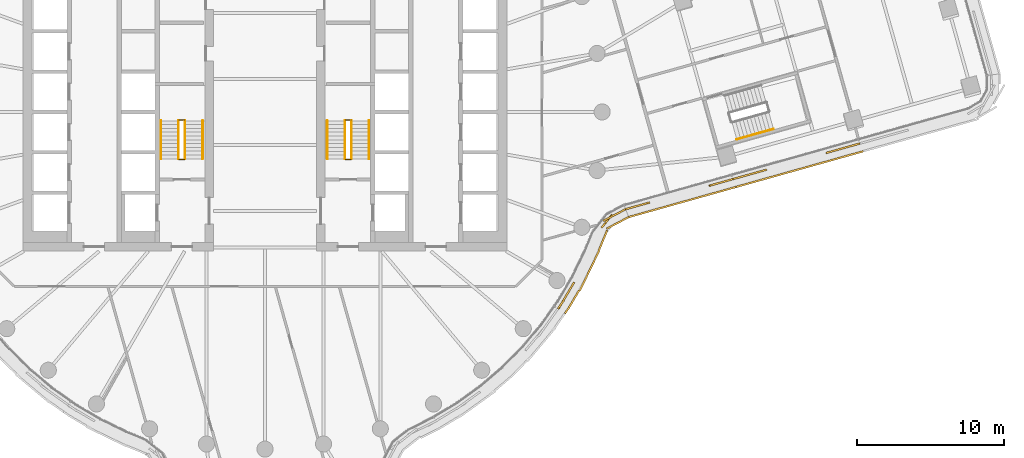
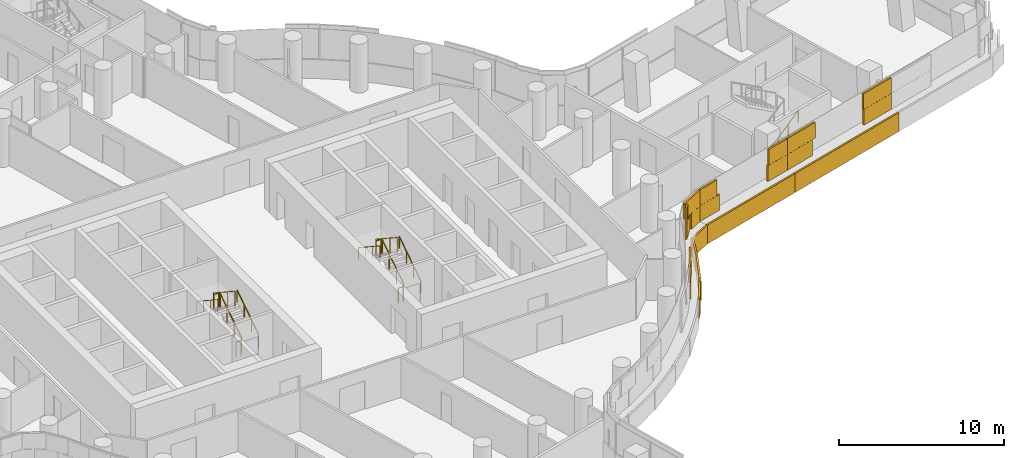
# One storey, part 27 of 30: 13 railings, 3 coverings.
"""IFC4 building model written with IfcOpenShell, lengths in metres."""

from ifc_helpers import new_model, si_unit, direction, frame, origin, origin_2d, place, context, subcontext, project, spatial, rectangle, circle, extrude, material, layer, layer_set, type_object, element, save


model = new_model("IFC4")

# Units and contexts
model_context = context("Model", 3, precision=1e-05, world=origin(), true_north=direction((0.0, 1.0)))
body_context = subcontext(model_context, "Body", "Model", "MODEL_VIEW")
ifc_project = project(units=[si_unit("LENGTHUNIT", "METRE"), si_unit("AREAUNIT", "SQUARE_METRE"), si_unit("VOLUMEUNIT", "CUBIC_METRE"), si_unit("PLANEANGLEUNIT", "RADIAN"), si_unit("MASSUNIT", "GRAM", prefix="KILO")], contexts=[model_context])

# Site, building, storey
site_placement = place(None, origin())
site = spatial("IfcSite", under=ifc_project, at=site_placement, CompositionType="ELEMENT")
building_placement = place(site_placement, origin())
building = spatial("IfcBuilding", under=site, at=building_placement, Name="Tamarind Cross Interchange Tower", CompositionType="ELEMENT")
storey_placement = place(building_placement, frame((0.0, 0.0, 91.0)))
storey = spatial("IfcBuildingStorey", under=building, at=storey_placement, Name="L21", CompositionType="ELEMENT", Elevation=91.0)

# Railings
ifc_material_1 = material(Name="Stair guard")
railing_type_1 = type_object("IfcRailingType", Name="Stair guard", PredefinedType="GUARDRAIL", material=ifc_material_1)
railing_1_placement = place(storey_placement, frame((-5.449951171875, -3.199951171875, 0.17041015625)))
element("IfcRailing", 1, at=railing_1_placement, inside=storey, type_object=railing_type_1, Name="L21 ST1 stair guard 1", PredefinedType="GUARDRAIL", context=body_context, shape_type="SweptSolid", body=[
    extrude(circle(Radius=0.02392578125, at=origin_2d()), frame((0.0, 0.0, 1.076171875), z_axis=(0.0, 0.836278606002, 0.548304744775), x_axis=(-1.0, 0.0, 0.0)), (0.0, 0.0, 1.0), 3.10888671875),
    extrude(circle(Radius=0.02099609375, at=origin_2d()), origin(), (0.0, 0.0, 1.0), 1.052001953125),
    extrude(circle(Radius=0.02099609375, at=origin_2d()), frame((0.0, 0.86669921875, 0.568115234375)), (0.0, 0.0, 1.0), 1.052001953125),
    extrude(circle(Radius=0.02099609375, at=origin_2d()), frame((0.0, 1.733154296875, 1.136474609375)), (0.0, 0.0, 1.0), 1.052001953125),
    extrude(circle(Radius=0.02099609375, at=origin_2d()), frame((0.0, 2.599853515625, 1.70458984375)), (0.0, 0.0, 1.0), 1.052001953125),
])
railing_2_placement = place(storey_placement, frame((-5.5, -0.550048828125, 1.875)))
element("IfcRailing", 2, at=railing_2_placement, inside=storey, type_object=railing_type_1, Name="L21 ST1 stair guard 2", PredefinedType="GUARDRAIL", context=body_context, shape_type="SweptSolid", body=[
    extrude(circle(Radius=0.02392578125, at=origin_2d()), frame((0.0, 0.0, 1.076171875), z_axis=(-1.0, 0.0, 0.0), x_axis=(0.0, -1.0, 0.0)), (0.0, 0.0, 1.0), 0.35009765625),
    extrude(circle(Radius=0.02099609375, at=origin_2d()), origin(), (0.0, 0.0, 1.0), 1.052001953125),
    extrude(circle(Radius=0.02099609375, at=origin_2d()), frame((-0.35009765625, 0.0, 0.0)), (0.0, 0.0, 1.0), 1.052001953125),
])
railing_3_placement = place(storey_placement, frame((-5.89990234375, -0.60009765625, 2.04541015625)))
element("IfcRailing", 3, at=railing_3_placement, inside=storey, type_object=railing_type_1, Name="L21 ST1 stair guard 3", PredefinedType="GUARDRAIL", context=body_context, shape_type="SweptSolid", body=[
    extrude(circle(Radius=0.02392578125, at=origin_2d()), frame((0.0, 0.0, 1.076171875), z_axis=(0.0, -0.836278606002, 0.548304744775), x_axis=(1.0, 0.0, 0.0)), (0.0, 0.0, 1.0), 3.10888671875),
    extrude(circle(Radius=0.02099609375, at=origin_2d()), origin(), (0.0, 0.0, 1.0), 1.052001953125),
    extrude(circle(Radius=0.02099609375, at=origin_2d()), frame((0.0, -0.86669921875, 0.568115234375)), (0.0, 0.0, 1.0), 1.052001953125),
    extrude(circle(Radius=0.02099609375, at=origin_2d()), frame((0.0, -1.733154296875, 1.136474609375)), (0.0, 0.0, 1.0), 1.052001953125),
    extrude(circle(Radius=0.02099609375, at=origin_2d()), frame((0.0, -2.599853515625, 1.70458984375)), (0.0, 0.0, 1.0), 1.052001953125),
])
railing_4_placement = place(storey_placement, frame((-5.5, -3.25, 0.0)))
element("IfcRailing", 4, at=railing_4_placement, inside=storey, type_object=railing_type_1, Name="L21 ST1 stair guard 4", PredefinedType="GUARDRAIL", context=body_context, shape_type="SweptSolid", body=[
    extrude(circle(Radius=0.02392578125, at=origin_2d()), frame((0.0, 0.0, 1.076171875), z_axis=(-1.0, 0.0, 0.0), x_axis=(0.0, -1.0, 0.0)), (0.0, 0.0, 1.0), 0.35009765625),
    extrude(circle(Radius=0.02099609375, at=origin_2d()), origin(), (0.0, 0.0, 1.0), 1.052001953125),
    extrude(circle(Radius=0.02099609375, at=origin_2d()), frame((-0.35009765625, 0.0, 0.0)), (0.0, 0.0, 1.0), 1.052001953125),
])
railing_5_placement = place(storey_placement, frame((5.89990234375, -3.199951171875, 0.17041015625)))
element("IfcRailing", 5, at=railing_5_placement, inside=storey, type_object=railing_type_1, Name="L21 ST2 stair guard 1", PredefinedType="GUARDRAIL", context=body_context, shape_type="SweptSolid", body=[
    extrude(circle(Radius=0.02392578125, at=origin_2d()), frame((0.0, 0.0, 1.076171875), z_axis=(0.0, 0.836278606002, 0.548304744775), x_axis=(-1.0, 0.0, 0.0)), (0.0, 0.0, 1.0), 3.10888671875),
    extrude(circle(Radius=0.02099609375, at=origin_2d()), origin(), (0.0, 0.0, 1.0), 1.052001953125),
    extrude(circle(Radius=0.02099609375, at=origin_2d()), frame((0.0, 0.86669921875, 0.568115234375)), (0.0, 0.0, 1.0), 1.052001953125),
    extrude(circle(Radius=0.02099609375, at=origin_2d()), frame((0.0, 1.733154296875, 1.136474609375)), (0.0, 0.0, 1.0), 1.052001953125),
    extrude(circle(Radius=0.02099609375, at=origin_2d()), frame((0.0, 2.599853515625, 1.70458984375)), (0.0, 0.0, 1.0), 1.052001953125),
])
railing_6_placement = place(storey_placement, frame((5.85009765625, -0.550048828125, 1.875)))
element("IfcRailing", 6, at=railing_6_placement, inside=storey, type_object=railing_type_1, Name="L21 ST2 stair guard 2", PredefinedType="GUARDRAIL", context=body_context, shape_type="SweptSolid", body=[
    extrude(circle(Radius=0.02392578125, at=origin_2d()), frame((0.0, 0.0, 1.076171875), z_axis=(-1.0, 0.0, 0.0), x_axis=(0.0, -1.0, 0.0)), (0.0, 0.0, 1.0), 0.35009765625),
    extrude(circle(Radius=0.02099609375, at=origin_2d()), origin(), (0.0, 0.0, 1.0), 1.052001953125),
    extrude(circle(Radius=0.02099609375, at=origin_2d()), frame((-0.35009765625, 0.0, 0.0)), (0.0, 0.0, 1.0), 1.052001953125),
])
railing_7_placement = place(storey_placement, frame((5.449951171875, -0.60009765625, 2.04541015625)))
element("IfcRailing", 7, at=railing_7_placement, inside=storey, type_object=railing_type_1, Name="L21 ST2 stair guard 3", PredefinedType="GUARDRAIL", context=body_context, shape_type="SweptSolid", body=[
    extrude(circle(Radius=0.02392578125, at=origin_2d()), frame((0.0, 0.0, 1.076171875), z_axis=(0.0, -0.836278606002, 0.548304744775), x_axis=(1.0, 0.0, 0.0)), (0.0, 0.0, 1.0), 3.10888671875),
    extrude(circle(Radius=0.02099609375, at=origin_2d()), origin(), (0.0, 0.0, 1.0), 1.052001953125),
    extrude(circle(Radius=0.02099609375, at=origin_2d()), frame((0.0, -0.86669921875, 0.568115234375)), (0.0, 0.0, 1.0), 1.052001953125),
    extrude(circle(Radius=0.02099609375, at=origin_2d()), frame((0.0, -1.733154296875, 1.136474609375)), (0.0, 0.0, 1.0), 1.052001953125),
    extrude(circle(Radius=0.02099609375, at=origin_2d()), frame((0.0, -2.599853515625, 1.70458984375)), (0.0, 0.0, 1.0), 1.052001953125),
])
railing_8_placement = place(storey_placement, frame((5.85009765625, -3.25, 0.0)))
element("IfcRailing", 8, at=railing_8_placement, inside=storey, type_object=railing_type_1, Name="L21 ST2 stair guard 4", PredefinedType="GUARDRAIL", context=body_context, shape_type="SweptSolid", body=[
    extrude(circle(Radius=0.02392578125, at=origin_2d()), frame((0.0, 0.0, 1.076171875), z_axis=(-1.0, 0.0, 0.0), x_axis=(0.0, -1.0, 0.0)), (0.0, 0.0, 1.0), 0.35009765625),
    extrude(circle(Radius=0.02099609375, at=origin_2d()), origin(), (0.0, 0.0, 1.0), 1.052001953125),
    extrude(circle(Radius=0.02099609375, at=origin_2d()), frame((-0.35009765625, 0.0, 0.0)), (0.0, 0.0, 1.0), 1.052001953125),
])
ifc_material_2 = material(Name="Stair handrail")
railing_type_2 = type_object("IfcRailingType", Name="Stair handrail", PredefinedType="HANDRAIL", material=ifc_material_2)
railing_9_placement = place(storey_placement, frame((-4.25, -3.199951171875, 0.17041015625)))
element("IfcRailing", 9, at=railing_9_placement, inside=storey, type_object=railing_type_2, Name="L21 ST1 stair handrail 1", PredefinedType="HANDRAIL", context=body_context, shape_type="SweptSolid", body=[
    extrude(circle(Radius=0.02392578125, at=origin_2d()), frame((0.0, 0.0, 0.8759765625), z_axis=(0.0, 0.836278606002, 0.548304744775), x_axis=(-1.0, 0.0, 0.0)), (0.0, 0.0, 1.0), 3.10888671875),
    extrude(circle(Radius=0.02099609375, at=origin_2d()), origin(), (0.0, 0.0, 1.0), 0.851806640625),
    extrude(circle(Radius=0.02099609375, at=origin_2d()), frame((0.0, 0.86669921875, 0.568115234375)), (0.0, 0.0, 1.0), 0.851806640625),
    extrude(circle(Radius=0.02099609375, at=origin_2d()), frame((0.0, 1.733154296875, 1.136474609375)), (0.0, 0.0, 1.0), 0.851806640625),
    extrude(circle(Radius=0.02099609375, at=origin_2d()), frame((0.0, 2.599853515625, 1.70458984375)), (0.0, 0.0, 1.0), 0.851806640625),
])
railing_10_placement = place(storey_placement, frame((-7.10009765625, -0.60009765625, 2.04541015625)))
element("IfcRailing", 10, at=railing_10_placement, inside=storey, type_object=railing_type_2, Name="L21 ST1 stair handrail 2", PredefinedType="HANDRAIL", context=body_context, shape_type="SweptSolid", body=[
    extrude(circle(Radius=0.02392578125, at=origin_2d()), frame((0.0, 0.0, 0.8759765625), z_axis=(0.0, -0.836278606002, 0.548304744775), x_axis=(1.0, 0.0, 0.0)), (0.0, 0.0, 1.0), 3.10888671875),
    extrude(circle(Radius=0.02099609375, at=origin_2d()), origin(), (0.0, 0.0, 1.0), 0.851806640625),
    extrude(circle(Radius=0.02099609375, at=origin_2d()), frame((0.0, -0.86669921875, 0.568115234375)), (0.0, 0.0, 1.0), 0.851806640625),
    extrude(circle(Radius=0.02099609375, at=origin_2d()), frame((0.0, -1.733154296875, 1.136474609375)), (0.0, 0.0, 1.0), 0.851806640625),
    extrude(circle(Radius=0.02099609375, at=origin_2d()), frame((0.0, -2.599853515625, 1.70458984375)), (0.0, 0.0, 1.0), 0.851806640625),
])
railing_11_placement = place(storey_placement, frame((7.10009765625, -3.199951171875, 0.17041015625)))
element("IfcRailing", 11, at=railing_11_placement, inside=storey, type_object=railing_type_2, Name="L21 ST2 stair handrail 1", PredefinedType="HANDRAIL", context=body_context, shape_type="SweptSolid", body=[
    extrude(circle(Radius=0.02392578125, at=origin_2d()), frame((0.0, 0.0, 0.8759765625), z_axis=(0.0, 0.836278606002, 0.548304744775), x_axis=(-1.0, 0.0, 0.0)), (0.0, 0.0, 1.0), 3.10888671875),
    extrude(circle(Radius=0.02099609375, at=origin_2d()), origin(), (0.0, 0.0, 1.0), 0.851806640625),
    extrude(circle(Radius=0.02099609375, at=origin_2d()), frame((0.0, 0.86669921875, 0.568115234375)), (0.0, 0.0, 1.0), 0.851806640625),
    extrude(circle(Radius=0.02099609375, at=origin_2d()), frame((0.0, 1.733154296875, 1.136474609375)), (0.0, 0.0, 1.0), 0.851806640625),
    extrude(circle(Radius=0.02099609375, at=origin_2d()), frame((0.0, 2.599853515625, 1.70458984375)), (0.0, 0.0, 1.0), 0.851806640625),
])
railing_12_placement = place(storey_placement, frame((4.25, -0.60009765625, 2.04541015625)))
element("IfcRailing", 12, at=railing_12_placement, inside=storey, type_object=railing_type_2, Name="L21 ST2 stair handrail 2", PredefinedType="HANDRAIL", context=body_context, shape_type="SweptSolid", body=[
    extrude(circle(Radius=0.02392578125, at=origin_2d()), frame((0.0, 0.0, 0.8759765625), z_axis=(0.0, -0.836278606002, 0.548304744775), x_axis=(1.0, 0.0, 0.0)), (0.0, 0.0, 1.0), 3.10888671875),
    extrude(circle(Radius=0.02099609375, at=origin_2d()), origin(), (0.0, 0.0, 1.0), 0.851806640625),
    extrude(circle(Radius=0.02099609375, at=origin_2d()), frame((0.0, -0.86669921875, 0.568115234375)), (0.0, 0.0, 1.0), 0.851806640625),
    extrude(circle(Radius=0.02099609375, at=origin_2d()), frame((0.0, -1.733154296875, 1.136474609375)), (0.0, 0.0, 1.0), 0.851806640625),
    extrude(circle(Radius=0.02099609375, at=origin_2d()), frame((0.0, -2.599853515625, 1.70458984375)), (0.0, 0.0, 1.0), 0.851806640625),
])
railing_13_placement = place(storey_placement, frame((32.183349609375, -1.86865234375, 0.17041015625)))
element("IfcRailing", 13, at=railing_13_placement, inside=storey, type_object=railing_type_2, Name="L21 ST3 stair handrail 1", PredefinedType="HANDRAIL", context=body_context, shape_type="SweptSolid", body=[
    extrude(circle(Radius=0.02392578125, at=origin_2d()), frame((0.0, 0.0, 0.8759765625), z_axis=(0.805208028118, 0.225919982143, 0.548270182594), x_axis=(-0.270141863262, 0.962820530376, 0.0)), (0.0, 0.0, 1.0), 3.109130859375),
    extrude(circle(Radius=0.02099609375, at=origin_2d()), origin(), (0.0, 0.0, 1.0), 0.851806640625),
    extrude(circle(Radius=0.02099609375, at=origin_2d()), frame((0.83447265625, 0.234130859375, 0.568115234375)), (0.0, 0.0, 1.0), 0.851806640625),
    extrude(circle(Radius=0.02099609375, at=origin_2d()), frame((1.6689453125, 0.46826171875, 1.136474609375)), (0.0, 0.0, 1.0), 0.851806640625),
    extrude(circle(Radius=0.02099609375, at=origin_2d()), frame((2.50341796875, 0.702392578125, 1.70458984375)), (0.0, 0.0, 1.0), 0.851806640625),
])

# Coverings
ifc_material_3 = material(Name="Terracotta", Category="masonry")
ifc_layer = layer(ifc_material_3, 0.1201171875)
ifc_layer_set = layer_set([ifc_layer], Name="Terracotta")
covering_type = type_object("IfcCoveringType", Name="Terracotta baguette screen unit", PredefinedType="MOLDING", material=ifc_layer_set)
covering_1_placement = place(storey_placement, origin())
element("IfcCovering", 14, at=covering_1_placement, inside=storey, type_object=covering_type, Name="SCR-L21-02-01", PredefinedType="MOLDING", context=body_context, shape_type="SweptSolid", body=[
    extrude(rectangle(XDim=1.451416015625, YDim=0.1201171875, at=origin_2d()), frame((20.3779296875, -12.820068359375, 1.404052734375), z_axis=(0.0, 0.0, 1.0), x_axis=(0.508183308752, 0.861248933065, 0.0)), (0.0, 0.0, 1.0), 1.1669921875),
    extrude(rectangle(XDim=0.674560546875, YDim=0.1201171875, at=origin_2d()), frame((20.9130859375, -11.9130859375, 1.404052734375), z_axis=(0.0, 0.0, 1.0), x_axis=(0.508183308752, 0.861248933065, 0.0)), (0.0, 0.0, 1.0), 1.1669921875),
    extrude(rectangle(XDim=1.145263671875, YDim=0.1201171875, at=origin_2d()), frame((23.3193359375, -7.447998046875, 1.404052734375), z_axis=(0.0, 0.0, 1.0), x_axis=(0.624019568283, 0.781408714054, 0.0)), (0.0, 0.0, 1.0), 1.1669921875),
    extrude(rectangle(XDim=0.980712890625, YDim=0.1201171875, at=origin_2d()), frame((24.17041015625, -6.860107421875, 1.404052734375), z_axis=(0.0, 0.0, 1.0), x_axis=(0.885278038142, 0.465062141206, 0.0)), (0.0, 0.0, 1.0), 1.1669921875),
    extrude(rectangle(XDim=0.701416015625, YDim=0.1201171875, at=origin_2d()), frame((20.182861328125, -13.14013671875, 2.5791015625), z_axis=(0.0, 0.0, 1.0), x_axis=(0.577568978284, 0.816341886298, 0.0)), (0.0, 0.0, 1.0), 1.1669921875),
    extrude(rectangle(XDim=1.424560546875, YDim=0.1201171875, at=origin_2d()), frame((20.722412109375, -12.236083984375, 2.5791015625), z_axis=(0.0, 0.0, 1.0), x_axis=(0.508183308752, 0.861248933065, 0.0)), (0.0, 0.0, 1.0), 1.1669921875),
    extrude(rectangle(XDim=0.395263671875, YDim=0.1201171875, at=origin_2d()), frame((23.085205078125, -7.740966796875, 2.5791015625), z_axis=(0.0, 0.0, 1.0), x_axis=(0.624019568283, 0.781408714054, 0.0)), (0.0, 0.0, 1.0), 1.1669921875),
    extrude(rectangle(XDim=1.52001953125, YDim=0.1201171875, at=origin_2d()), frame((23.74072265625, -7.085693359375, 2.5791015625), z_axis=(0.0, 0.0, 1.0), x_axis=(0.885278038142, 0.465062141206, 0.0)), (0.0, 0.0, 1.0), 1.1669921875),
    extrude(rectangle(XDim=0.230712890625, YDim=0.1201171875, at=origin_2d()), frame((24.50244140625, -6.685546875, 2.5791015625), z_axis=(0.0, 0.0, 1.0), x_axis=(0.885278038142, 0.465062141206, 0.0)), (0.0, 0.0, 1.0), 1.1669921875),
    extrude(rectangle(XDim=0.369873046875, YDim=0.1201171875, at=origin_2d()), frame((20.566650390625, -13.59130859375, 0.00390625), z_axis=(0.0, 0.0, 1.0), x_axis=(0.577568978284, 0.816341886298, 0.0)), (0.0, 0.0, 1.0), 1.39208984375),
    extrude(rectangle(XDim=1.52001953125, YDim=0.1201171875, at=origin_2d()), frame((21.05322265625, -12.805419921875, 0.00390625), z_axis=(0.0, 0.0, 1.0), x_axis=(0.508183308752, 0.861248933065, 0.0)), (0.0, 0.0, 1.0), 1.39208984375),
    extrude(rectangle(XDim=1.52001953125, YDim=0.1201171875, at=origin_2d()), frame((21.804443359375, -11.507568359375, 0.00390625), z_axis=(0.0, 0.0, 1.0), x_axis=(0.435326231914, 0.900272776334, 0.0)), (0.0, 0.0, 1.0), 1.39208984375),
    extrude(rectangle(XDim=1.52001953125, YDim=0.1201171875, at=origin_2d()), frame((22.457275390625, -10.1572265625, 0.00390625), z_axis=(0.0, 0.0, 1.0), x_axis=(0.435326231914, 0.900272776334, 0.0)), (0.0, 0.0, 1.0), 1.39208984375),
    extrude(rectangle(XDim=1.52001953125, YDim=0.1201171875, at=origin_2d()), frame((23.050048828125, -8.77978515625, 0.00390625), z_axis=(0.0, 0.0, 1.0), x_axis=(0.381574919747, 0.924337914737, 0.0)), (0.0, 0.0, 1.0), 1.39208984375),
    extrude(rectangle(XDim=1.52001953125, YDim=0.1201171875, at=origin_2d()), frame((23.97021484375, -7.613525390625, 0.00390625), z_axis=(0.0, 0.0, 1.0), x_axis=(0.885278038142, 0.465062141206, 0.0)), (0.0, 0.0, 1.0), 1.39208984375),
    extrude(rectangle(XDim=0.21240234375, YDim=0.1201171875, at=origin_2d()), frame((24.71923828125, -7.219970703125, 0.00390625), z_axis=(0.0, 0.0, 1.0), x_axis=(0.885278038142, 0.465062141206, 0.0)), (0.0, 0.0, 1.0), 1.39208984375),
])
covering_2_placement = place(storey_placement, origin())
element("IfcCovering", 15, at=covering_2_placement, inside=storey, type_object=covering_type, Name="SCR-L21-03-00", PredefinedType="MOLDING", context=body_context, shape_type="SweptSolid", body=[
    extrude(rectangle(XDim=0.760009765625, YDim=0.1201171875, at=origin_2d()), frame((24.961181640625, -6.532958984375, 1.404052734375), z_axis=(0.0, 0.0, 1.0), x_axis=(0.962823871791, 0.270129953744, 0.0)), (0.0, 0.0, 1.0), 1.1669921875),
    extrude(rectangle(XDim=0.95947265625, YDim=0.1201171875, at=origin_2d()), frame((25.779296875, -6.303466796875, 1.404052734375), z_axis=(0.0, 0.0, 1.0), x_axis=(0.962823871791, 0.270129953744, 0.0)), (0.0, 0.0, 1.0), 1.1669921875),
    extrude(rectangle(XDim=0.860595703125, YDim=0.1201171875, at=origin_2d()), frame((30.689697265625, -4.92578125, 1.404052734375), z_axis=(0.0, 0.0, 1.0), x_axis=(0.962823871791, 0.270129953744, 0.0)), (0.0, 0.0, 1.0), 1.1669921875),
    extrude(rectangle(XDim=0.85888671875, YDim=0.1201171875, at=origin_2d()), frame((31.5078125, -4.6962890625, 1.404052734375), z_axis=(0.0, 0.0, 1.0), x_axis=(0.962823871791, 0.270129953744, 0.0)), (0.0, 0.0, 1.0), 1.1669921875),
    extrude(rectangle(XDim=1.510009765625, YDim=0.1201171875, at=origin_2d()), frame((25.322021484375, -6.431640625, 2.5791015625), z_axis=(0.0, 0.0, 1.0), x_axis=(0.962823871791, 0.270129953744, 0.0)), (0.0, 0.0, 1.0), 1.1669921875),
    extrude(rectangle(XDim=1.52001953125, YDim=0.1201171875, at=origin_2d()), frame((31.09912109375, -4.81103515625, 2.5791015625), z_axis=(0.0, 0.0, 1.0), x_axis=(0.962823871791, 0.270129953744, 0.0)), (0.0, 0.0, 1.0), 1.1669921875),
    extrude(rectangle(XDim=0.10888671875, YDim=0.1201171875, at=origin_2d()), frame((31.868896484375, -4.594970703125, 2.5791015625), z_axis=(0.0, 0.0, 1.0), x_axis=(0.962823871791, 0.270129953744, 0.0)), (0.0, 0.0, 1.0), 1.1669921875),
    extrude(rectangle(XDim=0.760009765625, YDim=0.1201171875, at=origin_2d()), frame((25.17919921875, -7.06787109375, 0.00390625), z_axis=(0.0, 0.0, 1.0), x_axis=(0.962823871791, 0.270129953744, 0.0)), (0.0, 0.0, 1.0), 1.39208984375),
    extrude(rectangle(XDim=1.52001953125, YDim=0.1201171875, at=origin_2d()), frame((26.257568359375, -6.765380859375, 0.00390625), z_axis=(0.0, 0.0, 1.0), x_axis=(0.962823871791, 0.270129953744, 0.0)), (0.0, 0.0, 1.0), 1.39208984375),
    extrude(rectangle(XDim=1.52001953125, YDim=0.1201171875, at=origin_2d()), frame((27.701904296875, -6.360107421875, 0.00390625), z_axis=(0.0, 0.0, 1.0), x_axis=(0.962823871791, 0.270129953744, 0.0)), (0.0, 0.0, 1.0), 1.39208984375),
    extrude(rectangle(XDim=1.52001953125, YDim=0.1201171875, at=origin_2d()), frame((29.14599609375, -5.955078125, 0.00390625), z_axis=(0.0, 0.0, 1.0), x_axis=(0.962823871791, 0.270129953744, 0.0)), (0.0, 0.0, 1.0), 1.39208984375),
    extrude(rectangle(XDim=1.52001953125, YDim=0.1201171875, at=origin_2d()), frame((30.59033203125, -5.5498046875, 0.00390625), z_axis=(0.0, 0.0, 1.0), x_axis=(0.962823871791, 0.270129953744, 0.0)), (0.0, 0.0, 1.0), 1.39208984375),
    extrude(rectangle(XDim=0.863525390625, YDim=0.1201171875, at=origin_2d()), frame((31.718505859375, -5.2333984375, 0.00390625), z_axis=(0.0, 0.0, 1.0), x_axis=(0.962823871791, 0.270129953744, 0.0)), (0.0, 0.0, 1.0), 1.39208984375),
])
covering_3_placement = place(storey_placement, origin())
element("IfcCovering", 16, at=covering_3_placement, inside=storey, type_object=covering_type, Name="SCR-L21-03-01", PredefinedType="MOLDING", context=body_context, shape_type="SweptSolid", body=[
    extrude(rectangle(XDim=0.6611328125, YDim=0.1201171875, at=origin_2d()), frame((32.22998046875, -4.49365234375, 1.404052734375), z_axis=(0.0, 0.0, 1.0), x_axis=(0.962823871791, 0.270129953744, 0.0)), (0.0, 0.0, 1.0), 1.1669921875),
    extrude(rectangle(XDim=1.52001953125, YDim=0.1201171875, at=origin_2d()), frame((33.265380859375, -4.203125, 1.404052734375), z_axis=(0.0, 0.0, 1.0), x_axis=(0.962823871791, 0.270129953744, 0.0)), (0.0, 0.0, 1.0), 1.1669921875),
    extrude(rectangle(XDim=1.52001953125, YDim=0.1201171875, at=origin_2d()), frame((39.04248046875, -2.582275390625, 1.404052734375), z_axis=(0.0, 0.0, 1.0), x_axis=(0.962823871791, 0.270129953744, 0.0)), (0.0, 0.0, 1.0), 1.1669921875),
    extrude(rectangle(XDim=0.85986328125, YDim=0.1201171875, at=origin_2d()), frame((40.173583984375, -2.264892578125, 1.404052734375), z_axis=(0.0, 0.0, 1.0), x_axis=(0.962823871791, 0.270129953744, 0.0)), (0.0, 0.0, 1.0), 1.1669921875),
    extrude(rectangle(XDim=1.4111328125, YDim=0.1201171875, at=origin_2d()), frame((32.591064453125, -4.392333984375, 2.5791015625), z_axis=(0.0, 0.0, 1.0), x_axis=(0.962823871791, 0.270129953744, 0.0)), (0.0, 0.0, 1.0), 1.1669921875),
    extrude(rectangle(XDim=1.009521484375, YDim=0.1201171875, at=origin_2d()), frame((33.74658203125, -4.068115234375, 2.5791015625), z_axis=(0.0, 0.0, 1.0), x_axis=(0.962823871791, 0.270129953744, 0.0)), (0.0, 0.0, 1.0), 1.1669921875),
    extrude(rectangle(XDim=0.810546875, YDim=0.1201171875, at=origin_2d()), frame((38.656982421875, -2.6904296875, 2.5791015625), z_axis=(0.0, 0.0, 1.0), x_axis=(0.962823871791, 0.270129953744, 0.0)), (0.0, 0.0, 1.0), 1.1669921875),
    extrude(rectangle(XDim=1.52001953125, YDim=0.1201171875, at=origin_2d()), frame((39.764404296875, -2.379638671875, 2.5791015625), z_axis=(0.0, 0.0, 1.0), x_axis=(0.962823871791, 0.270129953744, 0.0)), (0.0, 0.0, 1.0), 1.1669921875),
    extrude(rectangle(XDim=0.10986328125, YDim=0.1201171875, at=origin_2d()), frame((40.53466796875, -2.16357421875, 2.5791015625), z_axis=(0.0, 0.0, 1.0), x_axis=(0.962823871791, 0.270129953744, 0.0)), (0.0, 0.0, 1.0), 1.1669921875),
    extrude(rectangle(XDim=0.656494140625, YDim=0.1201171875, at=origin_2d()), frame((32.4501953125, -5.028076171875, 0.00390625), z_axis=(0.0, 0.0, 1.0), x_axis=(0.962823871791, 0.270129953744, 0.0)), (0.0, 0.0, 1.0), 1.39208984375),
    extrude(rectangle(XDim=1.52001953125, YDim=0.1201171875, at=origin_2d()), frame((33.478759765625, -4.739501953125, 0.00390625), z_axis=(0.0, 0.0, 1.0), x_axis=(0.962823871791, 0.270129953744, 0.0)), (0.0, 0.0, 1.0), 1.39208984375),
    extrude(rectangle(XDim=1.52001953125, YDim=0.1201171875, at=origin_2d()), frame((34.923095703125, -4.334228515625, 0.00390625), z_axis=(0.0, 0.0, 1.0), x_axis=(0.962823871791, 0.270129953744, 0.0)), (0.0, 0.0, 1.0), 1.39208984375),
    extrude(rectangle(XDim=1.52001953125, YDim=0.1201171875, at=origin_2d()), frame((36.3671875, -3.928955078125, 0.00390625), z_axis=(0.0, 0.0, 1.0), x_axis=(0.962823871791, 0.270129953744, 0.0)), (0.0, 0.0, 1.0), 1.39208984375),
    extrude(rectangle(XDim=1.52001953125, YDim=0.1201171875, at=origin_2d()), frame((37.8115234375, -3.52392578125, 0.00390625), z_axis=(0.0, 0.0, 1.0), x_axis=(0.962823871791, 0.270129953744, 0.0)), (0.0, 0.0, 1.0), 1.39208984375),
    extrude(rectangle(XDim=1.52001953125, YDim=0.1201171875, at=origin_2d()), frame((39.255615234375, -3.11865234375, 0.00390625), z_axis=(0.0, 0.0, 1.0), x_axis=(0.962823871791, 0.270129953744, 0.0)), (0.0, 0.0, 1.0), 1.39208984375),
    extrude(rectangle(XDim=0.8701171875, YDim=0.1201171875, at=origin_2d()), frame((40.38720703125, -2.80126953125, 0.00390625), z_axis=(0.0, 0.0, 1.0), x_axis=(0.962823871791, 0.270129953744, 0.0)), (0.0, 0.0, 1.0), 1.39208984375),
])

save(model, "model.ifc")
